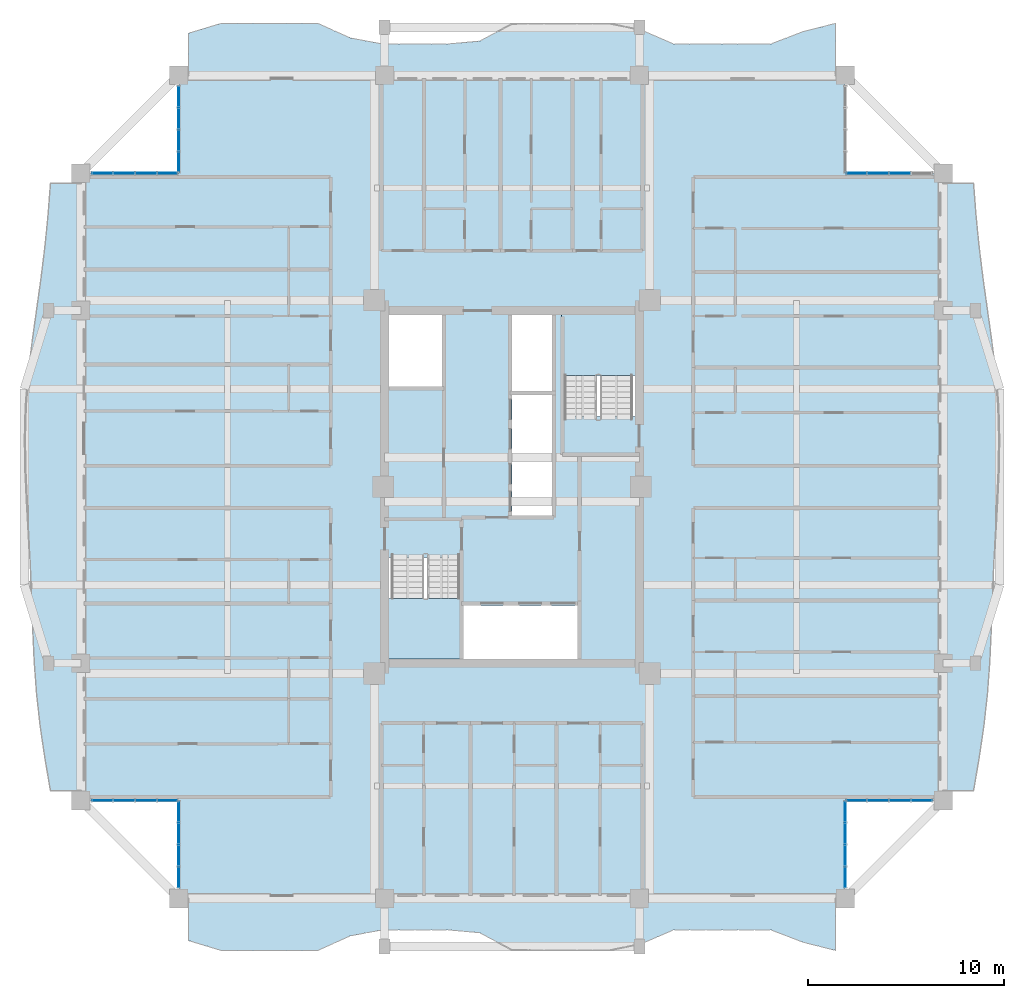
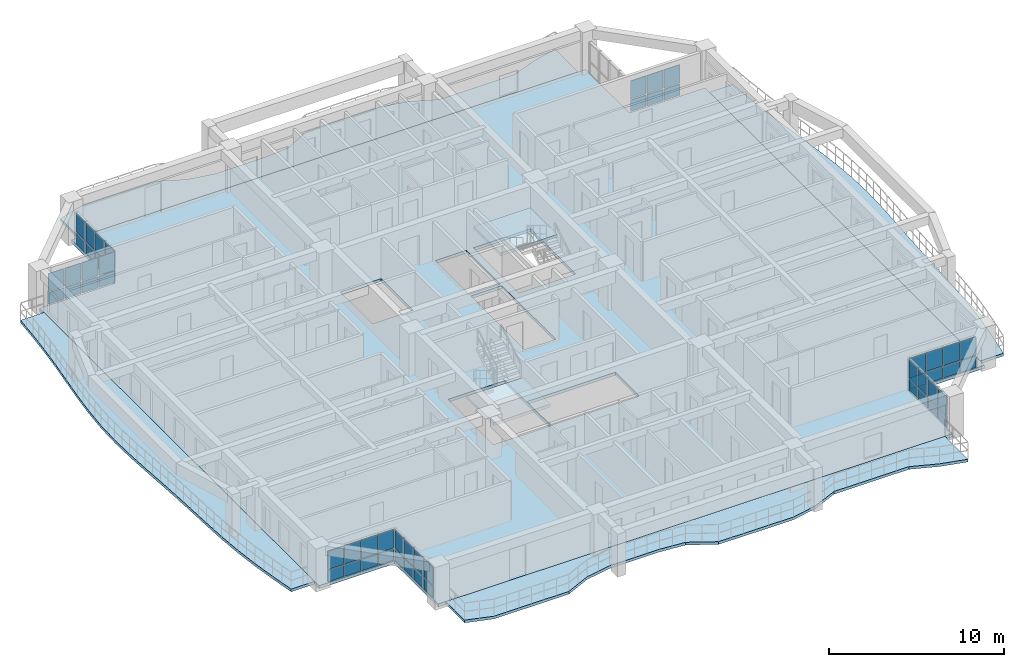
# One storey, part 10 of 24: 54 plates, 7 slabs, 9 elements without a shape of their own.
"""IFC4 building model written with IfcOpenShell, lengths in metres."""

from ifc_helpers import new_model, si_unit, direction, frame, origin, origin_2d, place, context, subcontext, project, spatial, polyline, rectangle, outline, extrude, source, transform, mapped, material, layer, layer_set, type_object, element, aggregate, save


model = new_model("IFC4")

# Units and contexts
model_context = context("Model", 3, precision=1e-05, world=origin(), true_north=direction((0.0, 1.0)))
body_context = subcontext(model_context, "Body", "Model", "MODEL_VIEW")
ifc_project = project(units=[si_unit("LENGTHUNIT", "METRE"), si_unit("AREAUNIT", "SQUARE_METRE"), si_unit("VOLUMEUNIT", "CUBIC_METRE"), si_unit("PLANEANGLEUNIT", "RADIAN"), si_unit("MASSUNIT", "GRAM", prefix="KILO")], contexts=[model_context])

# Site, building, storey
site_placement = place(None, origin())
site = spatial("IfcSite", under=ifc_project, at=site_placement, CompositionType="ELEMENT")
building_placement = place(site_placement, origin())
building = spatial("IfcBuilding", under=site, at=building_placement, Name="Saelheon Loggia Tower", CompositionType="ELEMENT")
storey_placement = place(building_placement, frame((0.0, 0.0, 166.0)))
storey = spatial("IfcBuildingStorey", under=building, at=storey_placement, Name="L52", CompositionType="ELEMENT", Elevation=166.0)

# Slabs
ifc_material_1 = material(Name="Precast Concrete C45/55", Category="concrete")
ifc_layer_1 = layer(ifc_material_1, 0.18994140625)
ifc_layer_set_1 = layer_set([ifc_layer_1], Name="Precast Concrete C45/55")
slab_type_1 = type_object("IfcSlabType", Name="Slab_Loggia_Ext_190", PredefinedType="FLOOR", material=ifc_layer_set_1)
slab_1_placement = place(storey_placement, frame((0.0, 0.0, -0.18994140625)))
element("IfcSlab", 1, at=slab_1_placement, inside=storey, type_object=slab_type_1, Name="L52 Loggia Balcony Slab S", PredefinedType="FLOOR", context=body_context, shape_type="SweptSolid", body=[
    extrude(outline(polyline([(21.5, 3.85009765625), (23.14990234375, 3.35009765625), (24.800048828125, 3.35009765625), (26.449951171875, 3.35009765625), (28.10009765625, 3.35009765625), (29.75, 4.09326171875), (31.39990234375, 4.39990234375), (33.050048828125, 4.39990234375), (34.699951171875, 4.39990234375), (36.35009765625, 4.251708984375), (38.0, 3.371337890625), (39.64990234375, 3.35009765625), (41.300048828125, 3.35009765625), (42.949951171875, 3.35009765625), (44.60009765625, 3.687255859375), (46.25, 4.39990234375), (47.89990234375, 4.39990234375), (49.550048828125, 4.39990234375), (51.199951171875, 4.39990234375), (52.85009765625, 3.7685546875), (54.5, 3.35009765625), (54.5, 6.0), (21.5, 6.0), (21.5, 3.85009765625)])), origin(), (0.0, 0.0, 1.0), 0.18994140625),
])
slab_2_placement = place(storey_placement, frame((0.0, 0.0, -0.18994140625)))
element("IfcSlab", 2, at=slab_2_placement, inside=storey, type_object=slab_type_1, Name="L52 Loggia Balcony Slab N", PredefinedType="FLOOR", context=body_context, shape_type="SweptSolid", body=[
    extrude(outline(polyline([(21.5, 48.0), (54.5, 48.0), (54.5, 50.64990234375), (52.85009765625, 50.2314453125), (51.199951171875, 49.60009765625), (49.550048828125, 49.60009765625), (47.89990234375, 49.60009765625), (46.25, 49.60009765625), (44.60009765625, 50.312744140625), (42.949951171875, 50.64990234375), (41.300048828125, 50.64990234375), (39.64990234375, 50.64990234375), (38.0, 50.628662109375), (36.35009765625, 49.748291015625), (34.699951171875, 49.60009765625), (33.050048828125, 49.60009765625), (31.39990234375, 49.60009765625), (29.75, 49.90673828125), (28.10009765625, 50.64990234375), (26.449951171875, 50.64990234375), (24.800048828125, 50.64990234375), (23.14990234375, 50.64990234375), (21.5, 50.14990234375), (21.5, 48.0)])), origin(), (0.0, 0.0, 1.0), 0.18994140625),
])
slab_3_placement = place(storey_placement, frame((0.0, 0.0, -0.18994140625)))
element("IfcSlab", 3, at=slab_3_placement, inside=storey, type_object=slab_type_1, Name="L52 Loggia Balcony Slab E", PredefinedType="FLOOR", context=body_context, shape_type="SweptSolid", body=[
    extrude(outline(polyline([(60.0, 11.5), (61.550048828125, 11.5), (61.8291015625, 13.131591796875), (62.072021484375, 14.76318359375), (62.25537109375, 16.394775390625), (62.376708984375, 18.0263671875), (62.452392578125, 19.657958984375), (62.51025390625, 21.28955078125), (62.575439453125, 22.921142578125), (62.6591796875, 24.552490234375), (62.75244140625, 26.18408203125), (62.829833984375, 27.81591796875), (62.85888671875, 29.447509765625), (62.814697265625, 31.078857421875), (62.689208984375, 32.71044921875), (62.496337890625, 34.342041015625), (62.267578125, 35.9736328125), (62.03857421875, 37.605224609375), (61.837646484375, 39.23681640625), (61.675048828125, 40.868408203125), (61.550048828125, 42.5), (60.0, 42.5), (60.0, 11.5)])), origin(), (0.0, 0.0, 1.0), 0.18994140625),
])
slab_4_placement = place(storey_placement, frame((0.0, 0.0, -0.18994140625)))
element("IfcSlab", 4, at=slab_4_placement, inside=storey, type_object=slab_type_1, Name="L52 Loggia Balcony Slab W", PredefinedType="FLOOR", context=body_context, shape_type="SweptSolid", body=[
    extrude(outline(polyline([(16.0, 11.5), (16.0, 42.5), (14.449951171875, 42.5), (14.324951171875, 40.868408203125), (14.162353515625, 39.23681640625), (13.96142578125, 37.605224609375), (13.732421875, 35.9736328125), (13.503662109375, 34.342041015625), (13.310791015625, 32.71044921875), (13.185302734375, 31.078857421875), (13.14111328125, 29.447509765625), (13.170166015625, 27.81591796875), (13.24755859375, 26.18408203125), (13.3408203125, 24.552490234375), (13.424560546875, 22.921142578125), (13.48974609375, 21.28955078125), (13.547607421875, 19.657958984375), (13.623291015625, 18.0263671875), (13.74462890625, 16.394775390625), (13.927978515625, 14.76318359375), (14.1708984375, 13.131591796875), (14.449951171875, 11.5), (16.0, 11.5)])), origin(), (0.0, 0.0, 1.0), 0.18994140625),
])

# Stair, slab
ifc_material_2 = material(Name="Concrete C40/50", Category="concrete")
stair_type = type_object("IfcStairType", Name="Stair_Escape_Core", PredefinedType="HALF_TURN_STAIR", material=ifc_material_2)
stair_1_placement = place(storey_placement, origin())
stair_1 = element("IfcStair", 5, at=stair_1_placement, inside=storey, type_object=stair_type, Name="L52 Special Escape Stair ST1", PredefinedType="HALF_TURN_STAIR")
ifc_layer_2 = layer(ifc_material_2, 0.199951171875)
ifc_layer_set_2 = layer_set([ifc_layer_2], Name="Concrete C40/50")
slab_type_2 = type_object("IfcSlabType", Name="Slab_StairLanding_ST1", PredefinedType="LANDING", material=ifc_layer_set_2)
slab_5_placement = place(storey_placement, frame((0.0, 0.0, 1.300048828125)))
slab_5 = element("IfcSlab", 6, at=slab_5_placement, type_object=slab_type_2, Name="ST1 landing 1", PredefinedType="LANDING", context=body_context, shape_type="SweptSolid", body=[
    extrude(outline(polyline([(31.7099609375, 21.31005859375), (31.7099609375, 18.2099609375), (35.469970703125, 18.2099609375), (35.469970703125, 21.31005859375), (31.7099609375, 21.31005859375)])), origin(), (0.0, 0.0, 1.0), 0.199951171875),
])
aggregate(stair_1, [slab_5])

stair_2_placement = place(storey_placement, origin())
stair_2 = element("IfcStair", 7, at=stair_2_placement, inside=storey, type_object=stair_type, Name="L52 Special Escape Stair ST2", PredefinedType="HALF_TURN_STAIR")
ifc_layer_3 = layer(ifc_material_2, 0.199951171875)
ifc_layer_set_3 = layer_set([ifc_layer_3], Name="Concrete C40/50")
slab_type_3 = type_object("IfcSlabType", Name="Slab_StairLanding_ST2", PredefinedType="LANDING", material=ifc_layer_set_3)
slab_6_placement = place(storey_placement, frame((0.0, 0.0, 1.300048828125)))
slab_6 = element("IfcSlab", 8, at=slab_6_placement, type_object=slab_type_3, Name="ST2 landing 1", PredefinedType="LANDING", context=body_context, shape_type="SweptSolid", body=[
    extrude(outline(polyline([(44.2900390625, 32.68994140625), (44.2900390625, 35.7900390625), (40.530029296875, 35.7900390625), (40.530029296875, 32.68994140625), (44.2900390625, 32.68994140625)])), origin(), (0.0, 0.0, 1.0), 0.199951171875),
])
aggregate(stair_2, [slab_6])

# Slab
ifc_layer_4 = layer(ifc_material_2, 0.2099609375)
ifc_layer_set_4 = layer_set([ifc_layer_4], Name="Concrete C40/50")
slab_type_4 = type_object("IfcSlabType", Name="Slab_Tower_210", PredefinedType="FLOOR", material=ifc_layer_set_4)
slab_7_placement = place(storey_placement, frame((0.0, 0.0, -0.2099609375)))
element("IfcSlab", 9, at=slab_7_placement, inside=storey, type_object=slab_type_4, Name="L52 Tower Floor Slab", PredefinedType="FLOOR", context=body_context, shape_type="SweptSolid", body=[
    extrude(outline(polyline([(21.0, 6.0), (55.0, 6.0), (55.0, 11.0), (60.0, 11.0), (60.0, 43.0), (55.0, 43.0), (55.0, 48.0), (21.0, 48.0), (21.0, 43.0), (16.0, 43.0), (16.0, 11.0), (21.0, 11.0), (21.0, 6.0)]), holes=[polyline([(31.699951171875, 23.409912109375), (31.699951171875, 18.199951171875), (35.47998046875, 18.199951171875), (35.47998046875, 23.409912109375), (31.699951171875, 23.409912109375)]), polyline([(44.300048828125, 30.590087890625), (44.300048828125, 35.800048828125), (40.52001953125, 35.800048828125), (40.52001953125, 30.590087890625), (44.300048828125, 30.590087890625)]), polyline([(35.530029296875, 18.22509765625), (41.35009765625, 18.22509765625), (41.35009765625, 20.9599609375), (35.530029296875, 20.9599609375), (35.530029296875, 18.22509765625)]), polyline([(31.72509765625, 32.1201171875), (34.419921875, 32.1201171875), (34.419921875, 35.77490234375), (31.72509765625, 35.77490234375), (31.72509765625, 32.1201171875)]), polyline([(38.0, 31.89990234375), (40.050048828125, 31.89990234375), (40.050048828125, 35.77490234375), (38.0, 35.77490234375), (38.0, 31.89990234375)]), polyline([(38.0, 25.5400390625), (40.050048828125, 25.5400390625), (40.050048828125, 31.699951171875), (38.0, 31.699951171875), (38.0, 25.5400390625)])]), origin(), (0.0, 0.0, 1.0), 0.2099609375),
])

# Curtain wall, plates
ifc_material_3 = material(Name="High-Wind Aluminium and Triple Laminated Glass", Category="aluminium")
ifc_layer_5 = layer(ifc_material_3, 0.179931640625)
ifc_layer_set_5 = layer_set([ifc_layer_5], Name="High-Wind Aluminium and Triple Laminated Glass")
curtain_wall_type = type_object("IfcCurtainWallType", Name="CW_TowerLoggiaHigh", PredefinedType="NOTDEFINED", material=ifc_layer_set_5)
curtain_wall_1_placement = place(storey_placement, origin())
curtain_wall_1 = element("IfcCurtainWall", 10, at=curtain_wall_1_placement, inside=storey, type_object=curtain_wall_type, Name="L52 Corner Notch Glazing SW1", PredefinedType="NOTDEFINED")
ifc_material_4 = material(Name="Triple Low-E Laminated Glazing", Category="glass")
ifc_layer_6 = layer(ifc_material_4, 0.0439453125)
ifc_layer_set_6 = layer_set([ifc_layer_6], Name="Triple Low-E Laminated Glazing")
plate_type = type_object("IfcPlateType", Name="CW_TowerLoggiaHigh_Panel", PredefinedType="CURTAIN_PANEL", material=ifc_layer_set_6)
shared_shape_1 = source(origin(), body_context, "Body", "SweptSolid", [
    extrude(rectangle(XDim=1.016357421875, YDim=0.0439453125, at=origin_2d()), origin(), (0.0, 0.0, 1.0), 0.794921875),
])
plate_1_placement = place(storey_placement, frame((21.0, 7.093017578125, 0.070068359375), z_axis=(0.0, 0.0, 1.0), x_axis=(0.0, 1.0, 0.0)))
plate_1 = element("IfcPlate", 11, at=plate_1_placement, type_object=plate_type, Name="CW4 panel 1.1", PredefinedType="CURTAIN_PANEL", context=body_context, shape_type="MappedRepresentation", body=[
    mapped(shared_shape_1, transform((0.0, 0.0, 0.0), scale=1.0)),
])
plate_2_placement = place(storey_placement, frame((21.0, 10.421875, 0.070068359375), z_axis=(0.0, 0.0, 1.0), x_axis=(0.0, 1.0, 0.0)))
plate_2 = element("IfcPlate", 12, at=plate_2_placement, type_object=plate_type, Name="CW4 panel 4.1", PredefinedType="CURTAIN_PANEL", context=body_context, shape_type="MappedRepresentation", body=[
    mapped(shared_shape_1, transform((0.0, 0.0, 0.0), scale=1.0)),
])

curtain_wall_2_placement = place(storey_placement, origin())
curtain_wall_2 = element("IfcCurtainWall", 13, at=curtain_wall_2_placement, inside=storey, type_object=curtain_wall_type, Name="L52 Corner Notch Glazing SW2", PredefinedType="NOTDEFINED")
plate_3_placement = place(storey_placement, frame((17.093017578125, 11.0, 0.070068359375), z_axis=(0.0, 0.0, 1.0), x_axis=(1.0, 0.0, 0.0)))
plate_3 = element("IfcPlate", 14, at=plate_3_placement, type_object=plate_type, Name="CW4 panel 1.1", PredefinedType="CURTAIN_PANEL", context=body_context, shape_type="MappedRepresentation", body=[
    mapped(shared_shape_1, transform((0.0, 0.0, 0.0), scale=1.0)),
])
plate_4_placement = place(storey_placement, frame((20.421875, 11.0, 0.070068359375), z_axis=(0.0, 0.0, 1.0), x_axis=(1.0, 0.0, 0.0)))
plate_4 = element("IfcPlate", 15, at=plate_4_placement, type_object=plate_type, Name="CW4 panel 4.1", PredefinedType="CURTAIN_PANEL", context=body_context, shape_type="MappedRepresentation", body=[
    mapped(shared_shape_1, transform((0.0, 0.0, 0.0), scale=1.0)),
])

curtain_wall_3_placement = place(storey_placement, origin())
curtain_wall_3 = element("IfcCurtainWall", 16, at=curtain_wall_3_placement, inside=storey, type_object=curtain_wall_type, Name="L52 Corner Notch Glazing SE1", PredefinedType="NOTDEFINED")
plate_5_placement = place(storey_placement, frame((55.0, 7.093017578125, 0.070068359375), z_axis=(0.0, 0.0, 1.0), x_axis=(0.0, 1.0, 0.0)))
plate_5 = element("IfcPlate", 17, at=plate_5_placement, type_object=plate_type, Name="CW4 panel 1.1", PredefinedType="CURTAIN_PANEL", context=body_context, shape_type="MappedRepresentation", body=[
    mapped(shared_shape_1, transform((0.0, 0.0, 0.0), scale=1.0)),
])
plate_6_placement = place(storey_placement, frame((55.0, 10.421875, 0.070068359375), z_axis=(0.0, 0.0, 1.0), x_axis=(0.0, 1.0, 0.0)))
plate_6 = element("IfcPlate", 18, at=plate_6_placement, type_object=plate_type, Name="CW4 panel 4.1", PredefinedType="CURTAIN_PANEL", context=body_context, shape_type="MappedRepresentation", body=[
    mapped(shared_shape_1, transform((0.0, 0.0, 0.0), scale=1.0)),
])

curtain_wall_4_placement = place(storey_placement, origin())
curtain_wall_4 = element("IfcCurtainWall", 19, at=curtain_wall_4_placement, inside=storey, type_object=curtain_wall_type, Name="L52 Corner Notch Glazing SE2", PredefinedType="NOTDEFINED")
plate_7_placement = place(storey_placement, frame((55.578125, 11.0, 0.070068359375), z_axis=(0.0, 0.0, 1.0), x_axis=(1.0, 0.0, 0.0)))
plate_7 = element("IfcPlate", 20, at=plate_7_placement, type_object=plate_type, Name="CW4 panel 1.1", PredefinedType="CURTAIN_PANEL", context=body_context, shape_type="MappedRepresentation", body=[
    mapped(shared_shape_1, transform((0.0, 0.0, 0.0), scale=1.0)),
])
plate_8_placement = place(storey_placement, frame((58.906982421875, 11.0, 0.070068359375), z_axis=(0.0, 0.0, 1.0), x_axis=(1.0, 0.0, 0.0)))
plate_8 = element("IfcPlate", 21, at=plate_8_placement, type_object=plate_type, Name="CW4 panel 4.1", PredefinedType="CURTAIN_PANEL", context=body_context, shape_type="MappedRepresentation", body=[
    mapped(shared_shape_1, transform((0.0, 0.0, 0.0), scale=1.0)),
])

curtain_wall_5_placement = place(storey_placement, origin())
curtain_wall_5 = element("IfcCurtainWall", 22, at=curtain_wall_5_placement, inside=storey, type_object=curtain_wall_type, Name="L52 Corner Notch Glazing NW1", PredefinedType="NOTDEFINED")
plate_9_placement = place(storey_placement, frame((21.0, 43.578125, 0.070068359375), z_axis=(0.0, 0.0, 1.0), x_axis=(0.0, 1.0, 0.0)))
plate_9 = element("IfcPlate", 23, at=plate_9_placement, type_object=plate_type, Name="CW4 panel 1.1", PredefinedType="CURTAIN_PANEL", context=body_context, shape_type="MappedRepresentation", body=[
    mapped(shared_shape_1, transform((0.0, 0.0, 0.0), scale=1.0)),
])
plate_10_placement = place(storey_placement, frame((21.0, 46.906982421875, 0.070068359375), z_axis=(0.0, 0.0, 1.0), x_axis=(0.0, 1.0, 0.0)))
plate_10 = element("IfcPlate", 24, at=plate_10_placement, type_object=plate_type, Name="CW4 panel 4.1", PredefinedType="CURTAIN_PANEL", context=body_context, shape_type="MappedRepresentation", body=[
    mapped(shared_shape_1, transform((0.0, 0.0, 0.0), scale=1.0)),
])

curtain_wall_6_placement = place(storey_placement, origin())
curtain_wall_6 = element("IfcCurtainWall", 25, at=curtain_wall_6_placement, inside=storey, type_object=curtain_wall_type, Name="L52 Corner Notch Glazing NW2", PredefinedType="NOTDEFINED")
plate_11_placement = place(storey_placement, frame((17.093017578125, 43.0, 0.070068359375), z_axis=(0.0, 0.0, 1.0), x_axis=(1.0, 0.0, 0.0)))
plate_11 = element("IfcPlate", 26, at=plate_11_placement, type_object=plate_type, Name="CW4 panel 1.1", PredefinedType="CURTAIN_PANEL", context=body_context, shape_type="MappedRepresentation", body=[
    mapped(shared_shape_1, transform((0.0, 0.0, 0.0), scale=1.0)),
])
plate_12_placement = place(storey_placement, frame((20.421875, 43.0, 0.070068359375), z_axis=(0.0, 0.0, 1.0), x_axis=(1.0, 0.0, 0.0)))
plate_12 = element("IfcPlate", 27, at=plate_12_placement, type_object=plate_type, Name="CW4 panel 4.1", PredefinedType="CURTAIN_PANEL", context=body_context, shape_type="MappedRepresentation", body=[
    mapped(shared_shape_1, transform((0.0, 0.0, 0.0), scale=1.0)),
])

# Curtain wall, plate
curtain_wall_7_placement = place(storey_placement, origin())
curtain_wall_7 = element("IfcCurtainWall", 28, at=curtain_wall_7_placement, inside=storey, type_object=curtain_wall_type, Name="L52 Corner Notch Glazing NE2", PredefinedType="NOTDEFINED")
plate_13_placement = place(storey_placement, frame((55.578125, 43.0, 0.070068359375), z_axis=(0.0, 0.0, 1.0), x_axis=(1.0, 0.0, 0.0)))
plate_13 = element("IfcPlate", 29, at=plate_13_placement, type_object=plate_type, Name="CW4 panel 1.1", PredefinedType="CURTAIN_PANEL", context=body_context, shape_type="MappedRepresentation", body=[
    mapped(shared_shape_1, transform((0.0, 0.0, 0.0), scale=1.0)),
])

# Plate
shared_shape_2 = source(origin(), body_context, "Body", "SweptSolid", [
    extrude(rectangle(XDim=1.016357421875, YDim=0.0439453125, at=origin_2d()), origin(), (0.0, 0.0, 1.0), 1.27490234375),
])
plate_14_placement = place(storey_placement, frame((21.0, 7.093017578125, 0.93505859375), z_axis=(0.0, 0.0, 1.0), x_axis=(0.0, 1.0, 0.0)))
plate_14 = element("IfcPlate", 30, at=plate_14_placement, type_object=plate_type, Name="CW4 panel 1.2", PredefinedType="CURTAIN_PANEL", context=body_context, shape_type="MappedRepresentation", body=[
    mapped(shared_shape_2, transform((0.0, 0.0, 0.0), scale=1.0)),
])

plate_15_placement = place(storey_placement, frame((21.0, 10.421875, 0.93505859375), z_axis=(0.0, 0.0, 1.0), x_axis=(0.0, 1.0, 0.0)))
plate_15 = element("IfcPlate", 31, at=plate_15_placement, type_object=plate_type, Name="CW4 panel 4.2", PredefinedType="CURTAIN_PANEL", context=body_context, shape_type="MappedRepresentation", body=[
    mapped(shared_shape_2, transform((0.0, 0.0, 0.0), scale=1.0)),
])

plate_16_placement = place(storey_placement, frame((17.093017578125, 11.0, 0.93505859375), z_axis=(0.0, 0.0, 1.0), x_axis=(1.0, 0.0, 0.0)))
plate_16 = element("IfcPlate", 32, at=plate_16_placement, type_object=plate_type, Name="CW4 panel 1.2", PredefinedType="CURTAIN_PANEL", context=body_context, shape_type="MappedRepresentation", body=[
    mapped(shared_shape_2, transform((0.0, 0.0, 0.0), scale=1.0)),
])

plate_17_placement = place(storey_placement, frame((20.421875, 11.0, 0.93505859375), z_axis=(0.0, 0.0, 1.0), x_axis=(1.0, 0.0, 0.0)))
plate_17 = element("IfcPlate", 33, at=plate_17_placement, type_object=plate_type, Name="CW4 panel 4.2", PredefinedType="CURTAIN_PANEL", context=body_context, shape_type="MappedRepresentation", body=[
    mapped(shared_shape_2, transform((0.0, 0.0, 0.0), scale=1.0)),
])

plate_18_placement = place(storey_placement, frame((55.0, 7.093017578125, 0.93505859375), z_axis=(0.0, 0.0, 1.0), x_axis=(0.0, 1.0, 0.0)))
plate_18 = element("IfcPlate", 34, at=plate_18_placement, type_object=plate_type, Name="CW4 panel 1.2", PredefinedType="CURTAIN_PANEL", context=body_context, shape_type="MappedRepresentation", body=[
    mapped(shared_shape_2, transform((0.0, 0.0, 0.0), scale=1.0)),
])

plate_19_placement = place(storey_placement, frame((55.0, 10.421875, 0.93505859375), z_axis=(0.0, 0.0, 1.0), x_axis=(0.0, 1.0, 0.0)))
plate_19 = element("IfcPlate", 35, at=plate_19_placement, type_object=plate_type, Name="CW4 panel 4.2", PredefinedType="CURTAIN_PANEL", context=body_context, shape_type="MappedRepresentation", body=[
    mapped(shared_shape_2, transform((0.0, 0.0, 0.0), scale=1.0)),
])

plate_20_placement = place(storey_placement, frame((55.578125, 11.0, 0.93505859375), z_axis=(0.0, 0.0, 1.0), x_axis=(1.0, 0.0, 0.0)))
plate_20 = element("IfcPlate", 36, at=plate_20_placement, type_object=plate_type, Name="CW4 panel 1.2", PredefinedType="CURTAIN_PANEL", context=body_context, shape_type="MappedRepresentation", body=[
    mapped(shared_shape_2, transform((0.0, 0.0, 0.0), scale=1.0)),
])

plate_21_placement = place(storey_placement, frame((58.906982421875, 11.0, 0.93505859375), z_axis=(0.0, 0.0, 1.0), x_axis=(1.0, 0.0, 0.0)))
plate_21 = element("IfcPlate", 37, at=plate_21_placement, type_object=plate_type, Name="CW4 panel 4.2", PredefinedType="CURTAIN_PANEL", context=body_context, shape_type="MappedRepresentation", body=[
    mapped(shared_shape_2, transform((0.0, 0.0, 0.0), scale=1.0)),
])

plate_22_placement = place(storey_placement, frame((21.0, 43.578125, 0.93505859375), z_axis=(0.0, 0.0, 1.0), x_axis=(0.0, 1.0, 0.0)))
plate_22 = element("IfcPlate", 38, at=plate_22_placement, type_object=plate_type, Name="CW4 panel 1.2", PredefinedType="CURTAIN_PANEL", context=body_context, shape_type="MappedRepresentation", body=[
    mapped(shared_shape_2, transform((0.0, 0.0, 0.0), scale=1.0)),
])

plate_23_placement = place(storey_placement, frame((21.0, 46.906982421875, 0.93505859375), z_axis=(0.0, 0.0, 1.0), x_axis=(0.0, 1.0, 0.0)))
plate_23 = element("IfcPlate", 39, at=plate_23_placement, type_object=plate_type, Name="CW4 panel 4.2", PredefinedType="CURTAIN_PANEL", context=body_context, shape_type="MappedRepresentation", body=[
    mapped(shared_shape_2, transform((0.0, 0.0, 0.0), scale=1.0)),
])

plate_24_placement = place(storey_placement, frame((17.093017578125, 43.0, 0.93505859375), z_axis=(0.0, 0.0, 1.0), x_axis=(1.0, 0.0, 0.0)))
plate_24 = element("IfcPlate", 40, at=plate_24_placement, type_object=plate_type, Name="CW4 panel 1.2", PredefinedType="CURTAIN_PANEL", context=body_context, shape_type="MappedRepresentation", body=[
    mapped(shared_shape_2, transform((0.0, 0.0, 0.0), scale=1.0)),
])

plate_25_placement = place(storey_placement, frame((20.421875, 43.0, 0.93505859375), z_axis=(0.0, 0.0, 1.0), x_axis=(1.0, 0.0, 0.0)))
plate_25 = element("IfcPlate", 41, at=plate_25_placement, type_object=plate_type, Name="CW4 panel 4.2", PredefinedType="CURTAIN_PANEL", context=body_context, shape_type="MappedRepresentation", body=[
    mapped(shared_shape_2, transform((0.0, 0.0, 0.0), scale=1.0)),
])

plate_26_placement = place(storey_placement, frame((55.578125, 43.0, 0.93505859375), z_axis=(0.0, 0.0, 1.0), x_axis=(1.0, 0.0, 0.0)))
plate_26 = element("IfcPlate", 42, at=plate_26_placement, type_object=plate_type, Name="CW4 panel 1.2", PredefinedType="CURTAIN_PANEL", context=body_context, shape_type="MappedRepresentation", body=[
    mapped(shared_shape_2, transform((0.0, 0.0, 0.0), scale=1.0)),
])

shared_shape_3 = source(origin(), body_context, "Body", "SweptSolid", [
    extrude(rectangle(XDim=1.05126953125, YDim=0.0439453125, at=origin_2d()), origin(), (0.0, 0.0, 1.0), 0.794921875),
])
plate_27_placement = place(storey_placement, frame((21.0, 8.19677734375, 0.070068359375), z_axis=(0.0, 0.0, 1.0), x_axis=(0.0, 1.0, 0.0)))
plate_27 = element("IfcPlate", 43, at=plate_27_placement, type_object=plate_type, Name="CW4 panel 2.1", PredefinedType="CURTAIN_PANEL", context=body_context, shape_type="MappedRepresentation", body=[
    mapped(shared_shape_3, transform((0.0, 0.0, 0.0), scale=1.0)),
])

plate_28_placement = place(storey_placement, frame((21.0, 9.318115234375, 0.070068359375), z_axis=(0.0, 0.0, 1.0), x_axis=(0.0, 1.0, 0.0)))
plate_28 = element("IfcPlate", 44, at=plate_28_placement, type_object=plate_type, Name="CW4 panel 3.1", PredefinedType="CURTAIN_PANEL", context=body_context, shape_type="MappedRepresentation", body=[
    mapped(shared_shape_3, transform((0.0, 0.0, 0.0), scale=1.0)),
])

plate_29_placement = place(storey_placement, frame((18.19677734375, 11.0, 0.070068359375), z_axis=(0.0, 0.0, 1.0), x_axis=(1.0, 0.0, 0.0)))
plate_29 = element("IfcPlate", 45, at=plate_29_placement, type_object=plate_type, Name="CW4 panel 2.1", PredefinedType="CURTAIN_PANEL", context=body_context, shape_type="MappedRepresentation", body=[
    mapped(shared_shape_3, transform((0.0, 0.0, 0.0), scale=1.0)),
])

plate_30_placement = place(storey_placement, frame((19.318115234375, 11.0, 0.070068359375), z_axis=(0.0, 0.0, 1.0), x_axis=(1.0, 0.0, 0.0)))
plate_30 = element("IfcPlate", 46, at=plate_30_placement, type_object=plate_type, Name="CW4 panel 3.1", PredefinedType="CURTAIN_PANEL", context=body_context, shape_type="MappedRepresentation", body=[
    mapped(shared_shape_3, transform((0.0, 0.0, 0.0), scale=1.0)),
])

plate_31_placement = place(storey_placement, frame((55.0, 8.19677734375, 0.070068359375), z_axis=(0.0, 0.0, 1.0), x_axis=(0.0, 1.0, 0.0)))
plate_31 = element("IfcPlate", 47, at=plate_31_placement, type_object=plate_type, Name="CW4 panel 2.1", PredefinedType="CURTAIN_PANEL", context=body_context, shape_type="MappedRepresentation", body=[
    mapped(shared_shape_3, transform((0.0, 0.0, 0.0), scale=1.0)),
])

plate_32_placement = place(storey_placement, frame((55.0, 9.318115234375, 0.070068359375), z_axis=(0.0, 0.0, 1.0), x_axis=(0.0, 1.0, 0.0)))
plate_32 = element("IfcPlate", 48, at=plate_32_placement, type_object=plate_type, Name="CW4 panel 3.1", PredefinedType="CURTAIN_PANEL", context=body_context, shape_type="MappedRepresentation", body=[
    mapped(shared_shape_3, transform((0.0, 0.0, 0.0), scale=1.0)),
])

plate_33_placement = place(storey_placement, frame((56.681884765625, 11.0, 0.070068359375), z_axis=(0.0, 0.0, 1.0), x_axis=(1.0, 0.0, 0.0)))
plate_33 = element("IfcPlate", 49, at=plate_33_placement, type_object=plate_type, Name="CW4 panel 2.1", PredefinedType="CURTAIN_PANEL", context=body_context, shape_type="MappedRepresentation", body=[
    mapped(shared_shape_3, transform((0.0, 0.0, 0.0), scale=1.0)),
])

plate_34_placement = place(storey_placement, frame((57.80322265625, 11.0, 0.070068359375), z_axis=(0.0, 0.0, 1.0), x_axis=(1.0, 0.0, 0.0)))
plate_34 = element("IfcPlate", 50, at=plate_34_placement, type_object=plate_type, Name="CW4 panel 3.1", PredefinedType="CURTAIN_PANEL", context=body_context, shape_type="MappedRepresentation", body=[
    mapped(shared_shape_3, transform((0.0, 0.0, 0.0), scale=1.0)),
])

plate_35_placement = place(storey_placement, frame((21.0, 44.681884765625, 0.070068359375), z_axis=(0.0, 0.0, 1.0), x_axis=(0.0, 1.0, 0.0)))
plate_35 = element("IfcPlate", 51, at=plate_35_placement, type_object=plate_type, Name="CW4 panel 2.1", PredefinedType="CURTAIN_PANEL", context=body_context, shape_type="MappedRepresentation", body=[
    mapped(shared_shape_3, transform((0.0, 0.0, 0.0), scale=1.0)),
])

plate_36_placement = place(storey_placement, frame((21.0, 45.80322265625, 0.070068359375), z_axis=(0.0, 0.0, 1.0), x_axis=(0.0, 1.0, 0.0)))
plate_36 = element("IfcPlate", 52, at=plate_36_placement, type_object=plate_type, Name="CW4 panel 3.1", PredefinedType="CURTAIN_PANEL", context=body_context, shape_type="MappedRepresentation", body=[
    mapped(shared_shape_3, transform((0.0, 0.0, 0.0), scale=1.0)),
])

plate_37_placement = place(storey_placement, frame((18.19677734375, 43.0, 0.070068359375), z_axis=(0.0, 0.0, 1.0), x_axis=(1.0, 0.0, 0.0)))
plate_37 = element("IfcPlate", 53, at=plate_37_placement, type_object=plate_type, Name="CW4 panel 2.1", PredefinedType="CURTAIN_PANEL", context=body_context, shape_type="MappedRepresentation", body=[
    mapped(shared_shape_3, transform((0.0, 0.0, 0.0), scale=1.0)),
])

plate_38_placement = place(storey_placement, frame((19.318115234375, 43.0, 0.070068359375), z_axis=(0.0, 0.0, 1.0), x_axis=(1.0, 0.0, 0.0)))
plate_38 = element("IfcPlate", 54, at=plate_38_placement, type_object=plate_type, Name="CW4 panel 3.1", PredefinedType="CURTAIN_PANEL", context=body_context, shape_type="MappedRepresentation", body=[
    mapped(shared_shape_3, transform((0.0, 0.0, 0.0), scale=1.0)),
])

plate_39_placement = place(storey_placement, frame((56.681884765625, 43.0, 0.070068359375), z_axis=(0.0, 0.0, 1.0), x_axis=(1.0, 0.0, 0.0)))
plate_39 = element("IfcPlate", 55, at=plate_39_placement, type_object=plate_type, Name="CW4 panel 2.1", PredefinedType="CURTAIN_PANEL", context=body_context, shape_type="MappedRepresentation", body=[
    mapped(shared_shape_3, transform((0.0, 0.0, 0.0), scale=1.0)),
])

plate_40_placement = place(storey_placement, frame((57.80322265625, 43.0, 0.070068359375), z_axis=(0.0, 0.0, 1.0), x_axis=(1.0, 0.0, 0.0)))
plate_40 = element("IfcPlate", 56, at=plate_40_placement, type_object=plate_type, Name="CW4 panel 3.1", PredefinedType="CURTAIN_PANEL", context=body_context, shape_type="MappedRepresentation", body=[
    mapped(shared_shape_3, transform((0.0, 0.0, 0.0), scale=1.0)),
])

shared_shape_4 = source(origin(), body_context, "Body", "SweptSolid", [
    extrude(rectangle(XDim=1.05126953125, YDim=0.0439453125, at=origin_2d()), origin(), (0.0, 0.0, 1.0), 1.27490234375),
])
plate_41_placement = place(storey_placement, frame((21.0, 8.19677734375, 0.93505859375), z_axis=(0.0, 0.0, 1.0), x_axis=(0.0, 1.0, 0.0)))
plate_41 = element("IfcPlate", 57, at=plate_41_placement, type_object=plate_type, Name="CW4 panel 2.2", PredefinedType="CURTAIN_PANEL", context=body_context, shape_type="MappedRepresentation", body=[
    mapped(shared_shape_4, transform((0.0, 0.0, 0.0), scale=1.0)),
])

plate_42_placement = place(storey_placement, frame((21.0, 9.318115234375, 0.93505859375), z_axis=(0.0, 0.0, 1.0), x_axis=(0.0, 1.0, 0.0)))
plate_42 = element("IfcPlate", 58, at=plate_42_placement, type_object=plate_type, Name="CW4 panel 3.2", PredefinedType="CURTAIN_PANEL", context=body_context, shape_type="MappedRepresentation", body=[
    mapped(shared_shape_4, transform((0.0, 0.0, 0.0), scale=1.0)),
])

aggregate(curtain_wall_1, [plate_1, plate_14, plate_27, plate_41, plate_28, plate_42, plate_2, plate_15])

plate_43_placement = place(storey_placement, frame((18.19677734375, 11.0, 0.93505859375), z_axis=(0.0, 0.0, 1.0), x_axis=(1.0, 0.0, 0.0)))
plate_43 = element("IfcPlate", 59, at=plate_43_placement, type_object=plate_type, Name="CW4 panel 2.2", PredefinedType="CURTAIN_PANEL", context=body_context, shape_type="MappedRepresentation", body=[
    mapped(shared_shape_4, transform((0.0, 0.0, 0.0), scale=1.0)),
])

plate_44_placement = place(storey_placement, frame((19.318115234375, 11.0, 0.93505859375), z_axis=(0.0, 0.0, 1.0), x_axis=(1.0, 0.0, 0.0)))
plate_44 = element("IfcPlate", 60, at=plate_44_placement, type_object=plate_type, Name="CW4 panel 3.2", PredefinedType="CURTAIN_PANEL", context=body_context, shape_type="MappedRepresentation", body=[
    mapped(shared_shape_4, transform((0.0, 0.0, 0.0), scale=1.0)),
])

aggregate(curtain_wall_2, [plate_3, plate_16, plate_29, plate_43, plate_30, plate_44, plate_4, plate_17])

plate_45_placement = place(storey_placement, frame((55.0, 8.19677734375, 0.93505859375), z_axis=(0.0, 0.0, 1.0), x_axis=(0.0, 1.0, 0.0)))
plate_45 = element("IfcPlate", 61, at=plate_45_placement, type_object=plate_type, Name="CW4 panel 2.2", PredefinedType="CURTAIN_PANEL", context=body_context, shape_type="MappedRepresentation", body=[
    mapped(shared_shape_4, transform((0.0, 0.0, 0.0), scale=1.0)),
])

plate_46_placement = place(storey_placement, frame((55.0, 9.318115234375, 0.93505859375), z_axis=(0.0, 0.0, 1.0), x_axis=(0.0, 1.0, 0.0)))
plate_46 = element("IfcPlate", 62, at=plate_46_placement, type_object=plate_type, Name="CW4 panel 3.2", PredefinedType="CURTAIN_PANEL", context=body_context, shape_type="MappedRepresentation", body=[
    mapped(shared_shape_4, transform((0.0, 0.0, 0.0), scale=1.0)),
])

aggregate(curtain_wall_3, [plate_5, plate_18, plate_31, plate_45, plate_32, plate_46, plate_6, plate_19])

plate_47_placement = place(storey_placement, frame((56.681884765625, 11.0, 0.93505859375), z_axis=(0.0, 0.0, 1.0), x_axis=(1.0, 0.0, 0.0)))
plate_47 = element("IfcPlate", 63, at=plate_47_placement, type_object=plate_type, Name="CW4 panel 2.2", PredefinedType="CURTAIN_PANEL", context=body_context, shape_type="MappedRepresentation", body=[
    mapped(shared_shape_4, transform((0.0, 0.0, 0.0), scale=1.0)),
])

plate_48_placement = place(storey_placement, frame((57.80322265625, 11.0, 0.93505859375), z_axis=(0.0, 0.0, 1.0), x_axis=(1.0, 0.0, 0.0)))
plate_48 = element("IfcPlate", 64, at=plate_48_placement, type_object=plate_type, Name="CW4 panel 3.2", PredefinedType="CURTAIN_PANEL", context=body_context, shape_type="MappedRepresentation", body=[
    mapped(shared_shape_4, transform((0.0, 0.0, 0.0), scale=1.0)),
])

aggregate(curtain_wall_4, [plate_7, plate_20, plate_33, plate_47, plate_34, plate_48, plate_8, plate_21])

plate_49_placement = place(storey_placement, frame((21.0, 44.681884765625, 0.93505859375), z_axis=(0.0, 0.0, 1.0), x_axis=(0.0, 1.0, 0.0)))
plate_49 = element("IfcPlate", 65, at=plate_49_placement, type_object=plate_type, Name="CW4 panel 2.2", PredefinedType="CURTAIN_PANEL", context=body_context, shape_type="MappedRepresentation", body=[
    mapped(shared_shape_4, transform((0.0, 0.0, 0.0), scale=1.0)),
])

plate_50_placement = place(storey_placement, frame((21.0, 45.80322265625, 0.93505859375), z_axis=(0.0, 0.0, 1.0), x_axis=(0.0, 1.0, 0.0)))
plate_50 = element("IfcPlate", 66, at=plate_50_placement, type_object=plate_type, Name="CW4 panel 3.2", PredefinedType="CURTAIN_PANEL", context=body_context, shape_type="MappedRepresentation", body=[
    mapped(shared_shape_4, transform((0.0, 0.0, 0.0), scale=1.0)),
])

aggregate(curtain_wall_5, [plate_9, plate_22, plate_35, plate_49, plate_36, plate_50, plate_10, plate_23])

plate_51_placement = place(storey_placement, frame((18.19677734375, 43.0, 0.93505859375), z_axis=(0.0, 0.0, 1.0), x_axis=(1.0, 0.0, 0.0)))
plate_51 = element("IfcPlate", 67, at=plate_51_placement, type_object=plate_type, Name="CW4 panel 2.2", PredefinedType="CURTAIN_PANEL", context=body_context, shape_type="MappedRepresentation", body=[
    mapped(shared_shape_4, transform((0.0, 0.0, 0.0), scale=1.0)),
])

plate_52_placement = place(storey_placement, frame((19.318115234375, 43.0, 0.93505859375), z_axis=(0.0, 0.0, 1.0), x_axis=(1.0, 0.0, 0.0)))
plate_52 = element("IfcPlate", 68, at=plate_52_placement, type_object=plate_type, Name="CW4 panel 3.2", PredefinedType="CURTAIN_PANEL", context=body_context, shape_type="MappedRepresentation", body=[
    mapped(shared_shape_4, transform((0.0, 0.0, 0.0), scale=1.0)),
])

aggregate(curtain_wall_6, [plate_11, plate_24, plate_37, plate_51, plate_38, plate_52, plate_12, plate_25])

plate_53_placement = place(storey_placement, frame((56.681884765625, 43.0, 0.93505859375), z_axis=(0.0, 0.0, 1.0), x_axis=(1.0, 0.0, 0.0)))
plate_53 = element("IfcPlate", 69, at=plate_53_placement, type_object=plate_type, Name="CW4 panel 2.2", PredefinedType="CURTAIN_PANEL", context=body_context, shape_type="MappedRepresentation", body=[
    mapped(shared_shape_4, transform((0.0, 0.0, 0.0), scale=1.0)),
])

plate_54_placement = place(storey_placement, frame((57.80322265625, 43.0, 0.93505859375), z_axis=(0.0, 0.0, 1.0), x_axis=(1.0, 0.0, 0.0)))
plate_54 = element("IfcPlate", 70, at=plate_54_placement, type_object=plate_type, Name="CW4 panel 3.2", PredefinedType="CURTAIN_PANEL", context=body_context, shape_type="MappedRepresentation", body=[
    mapped(shared_shape_4, transform((0.0, 0.0, 0.0), scale=1.0)),
])

aggregate(curtain_wall_7, [plate_13, plate_26, plate_39, plate_53, plate_40, plate_54])

save(model, "model.ifc")
